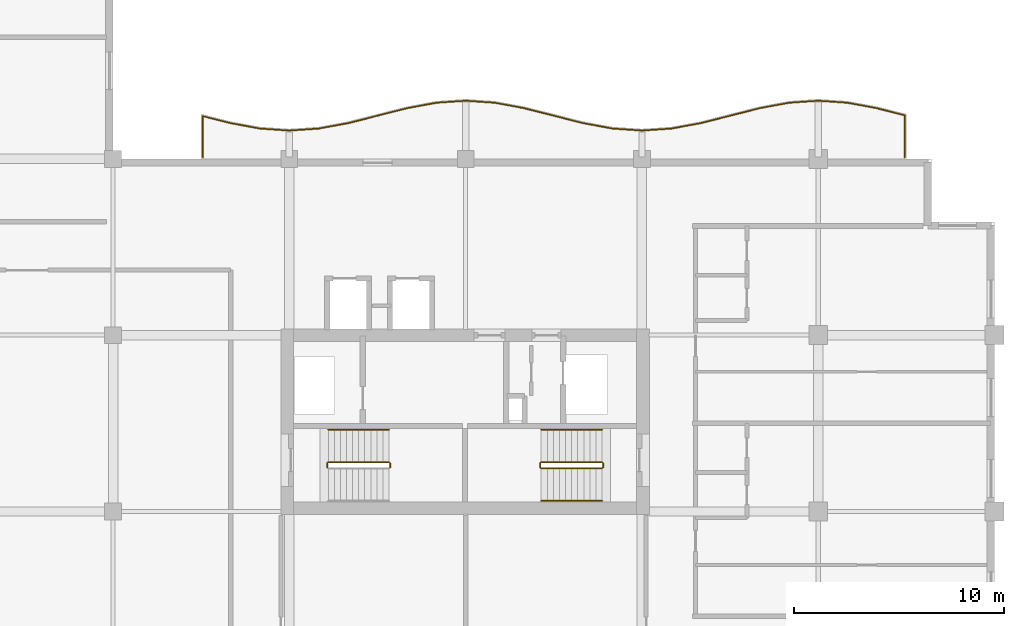
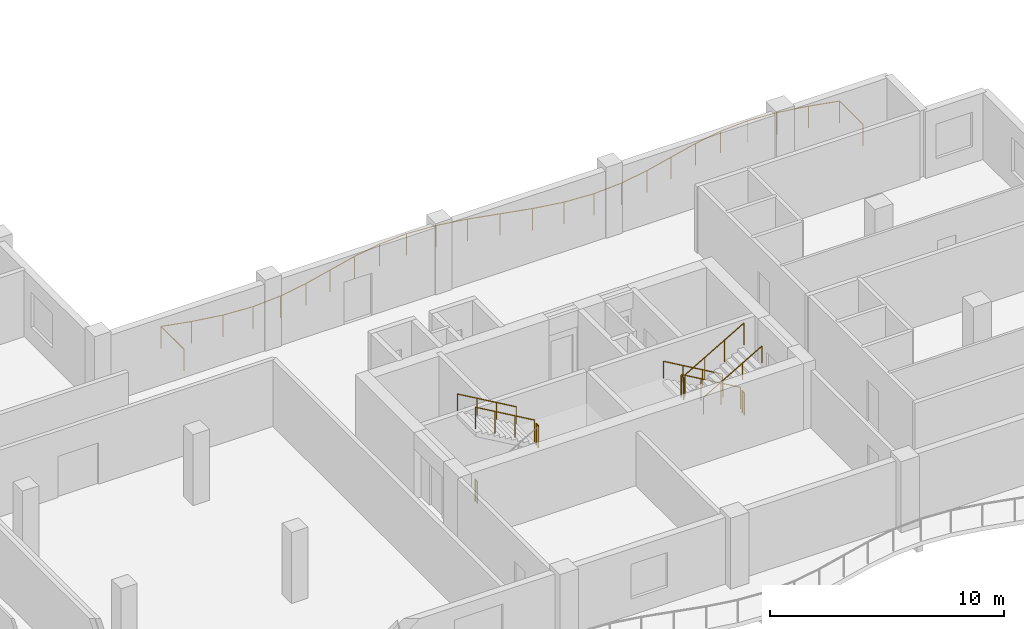
# One storey, part 14 of 16: 11 railings.
"""IFC4 building model written with IfcOpenShell, lengths in metres."""

from ifc_helpers import new_model, si_unit, direction, frame, origin, origin_2d, place, context, subcontext, project, spatial, circle, extrude, material, type_object, element, save


model = new_model("IFC4")

# Units and contexts
model_context = context("Model", 3, precision=1e-05, world=origin(), true_north=direction((0.0, 1.0)))
body_context = subcontext(model_context, "Body", "Model", "MODEL_VIEW")
ifc_project = project(units=[si_unit("LENGTHUNIT", "METRE"), si_unit("AREAUNIT", "SQUARE_METRE"), si_unit("VOLUMEUNIT", "CUBIC_METRE"), si_unit("PLANEANGLEUNIT", "RADIAN"), si_unit("MASSUNIT", "GRAM", prefix="KILO")], contexts=[model_context])

# Site, building, storey
site_placement = place(None, origin())
site = spatial("IfcSite", under=ifc_project, at=site_placement, CompositionType="ELEMENT")
building_placement = place(site_placement, origin())
building = spatial("IfcBuilding", under=site, at=building_placement, Name="Koriwani Terraces Tower", CompositionType="ELEMENT")
storey_placement = place(building_placement, frame((0.0, 0.0, 267.5)))
storey = spatial("IfcBuildingStorey", under=building, at=storey_placement, Name="L66", CompositionType="ELEMENT", Elevation=267.5)

# Railings
ifc_material = material(Name="Steel ASTM A572 Grade 50", Category="steel")
railing_type_1 = type_object("IfcRailingType", Name="GUARD_BALUSTRADE_1150", PredefinedType="BALUSTRADE", material=ifc_material)
railing_1_placement = place(storey_placement, frame((71.320068359375, 33.679931640625, 0.0)))
element("IfcRailing", 1, at=railing_1_placement, inside=storey, type_object=railing_type_1, Name="L66 Balcony Perimeter Safety Balustrade (NE)", PredefinedType="BALUSTRADE", context=body_context, shape_type="SweptSolid", body=[
    extrude(circle(Radius=0.02392578125, at=origin_2d()), frame((0.0, 0.0, 1.1259765625), z_axis=(0.0, 1.0, 0.0), x_axis=(-1.0, 0.0, 0.0)), (0.0, 0.0, 1.0), 1.997802734375),
    extrude(circle(Radius=0.02392578125, at=origin_2d()), frame((0.0, 1.997802734375, 1.1259765625), z_axis=(-0.969314490181, 0.245823959624, 0.0), x_axis=(-0.245823959624, -0.969314490181, 0.0)), (0.0, 0.0, 1.0), 1.37939453125),
    extrude(circle(Radius=0.02392578125, at=origin_2d()), frame((-1.337158203125, 2.3369140625, 1.1259765625), z_axis=(-0.98320420208, 0.182508895706, 0.0), x_axis=(-0.182508895706, -0.98320420208, 0.0)), (0.0, 0.0, 1.0), 1.41650390625),
    extrude(circle(Radius=0.02392578125, at=origin_2d()), frame((-2.72998046875, 2.595458984375, 1.1259765625), z_axis=(-0.997698263815, 0.067809839848, 0.0), x_axis=(-0.067809839848, -0.997698263815, 0.0)), (0.0, 0.0, 1.0), 1.393310546875),
    extrude(circle(Radius=0.02392578125, at=origin_2d()), frame((-4.1201171875, 2.68994140625, 1.1259765625), z_axis=(-0.997697457915, -0.067821696155, 0.0), x_axis=(0.067821696155, -0.997697457915, 0.0)), (0.0, 0.0, 1.0), 1.39306640625),
    extrude(circle(Radius=0.02392578125, at=origin_2d()), frame((-5.510009765625, 2.595458984375, 1.1259765625), z_axis=(-0.98320420208, -0.182508895706, 0.0), x_axis=(0.182508895706, -0.98320420208, 0.0)), (0.0, 0.0, 1.0), 1.41650390625),
    extrude(circle(Radius=0.02392578125, at=origin_2d()), frame((-6.90283203125, 2.3369140625, 1.1259765625), z_axis=(-0.969326714928, -0.245775750895, 0.0), x_axis=(0.245775750895, -0.969326714928, 0.0)), (0.0, 0.0, 1.0), 2.888671875),
    extrude(circle(Radius=0.02392578125, at=origin_2d()), frame((-9.702880859375, 1.626953125, 1.1259765625), z_axis=(-0.983233329212, -0.182351913416, 0.0), x_axis=(0.182351913416, -0.983233329212, 0.0)), (0.0, 0.0, 1.0), 1.43115234375),
    extrude(circle(Radius=0.02392578125, at=origin_2d()), frame((-11.110107421875, 1.365966796875, 1.1259765625), z_axis=(-0.997704165633, -0.067722949425, 0.0), x_axis=(0.067722949425, -0.997704165633, 0.0)), (0.0, 0.0, 1.0), 1.4130859375),
    extrude(circle(Radius=0.02392578125, at=origin_2d()), frame((-12.52001953125, 1.270263671875, 1.1259765625), z_axis=(-0.997704957786, 0.067711278299, 0.0), x_axis=(-0.067711278299, -0.997704957786, 0.0)), (0.0, 0.0, 1.0), 1.413330078125),
    extrude(circle(Radius=0.02392578125, at=origin_2d()), frame((-13.93017578125, 1.365966796875, 1.1259765625), z_axis=(-0.983227655562, 0.182382502828, 0.0), x_axis=(-0.182382502828, -0.983227655562, 0.0)), (0.0, 0.0, 1.0), 1.430908203125),
    extrude(circle(Radius=0.02392578125, at=origin_2d()), frame((-15.337158203125, 1.626953125, 1.1259765625), z_axis=(-0.969326714928, 0.245775750895, 0.0), x_axis=(-0.245775750895, -0.969326714928, 0.0)), (0.0, 0.0, 1.0), 2.888671875),
    extrude(circle(Radius=0.02392578125, at=origin_2d()), frame((-18.13720703125, 2.3369140625, 1.1259765625), z_axis=(-0.98320420208, 0.182508895706, 0.0), x_axis=(-0.182508895706, -0.98320420208, 0.0)), (0.0, 0.0, 1.0), 1.41650390625),
    extrude(circle(Radius=0.02392578125, at=origin_2d()), frame((-19.530029296875, 2.595458984375, 1.1259765625), z_axis=(-0.997698263815, 0.067809839848, 0.0), x_axis=(-0.067809839848, -0.997698263815, 0.0)), (0.0, 0.0, 1.0), 1.393310546875),
    extrude(circle(Radius=0.02392578125, at=origin_2d()), frame((-20.920166015625, 2.68994140625, 1.1259765625), z_axis=(-0.997697457915, -0.067821696155, 0.0), x_axis=(0.067821696155, -0.997697457915, 0.0)), (0.0, 0.0, 1.0), 1.39306640625),
    extrude(circle(Radius=0.02392578125, at=origin_2d()), frame((-22.31005859375, 2.595458984375, 1.1259765625), z_axis=(-0.98320420208, -0.182508895706, 0.0), x_axis=(0.182508895706, -0.98320420208, 0.0)), (0.0, 0.0, 1.0), 1.41650390625),
    extrude(circle(Radius=0.02392578125, at=origin_2d()), frame((-23.702880859375, 2.3369140625, 1.1259765625), z_axis=(-0.969326714928, -0.245775750895, 0.0), x_axis=(0.245775750895, -0.969326714928, 0.0)), (0.0, 0.0, 1.0), 2.888671875),
    extrude(circle(Radius=0.02392578125, at=origin_2d()), frame((-26.5029296875, 1.626953125, 1.1259765625), z_axis=(-0.983233329212, -0.182351913416, 0.0), x_axis=(0.182351913416, -0.983233329212, 0.0)), (0.0, 0.0, 1.0), 1.43115234375),
    extrude(circle(Radius=0.02392578125, at=origin_2d()), frame((-27.91015625, 1.365966796875, 1.1259765625), z_axis=(-0.997704165633, -0.067722949425, 0.0), x_axis=(0.067722949425, -0.997704165633, 0.0)), (0.0, 0.0, 1.0), 1.4130859375),
    extrude(circle(Radius=0.02392578125, at=origin_2d()), frame((-29.320068359375, 1.270263671875, 1.1259765625), z_axis=(-0.997704165633, 0.067722949425, 0.0), x_axis=(-0.067722949425, -0.997704165633, 0.0)), (0.0, 0.0, 1.0), 1.4130859375),
    extrude(circle(Radius=0.02392578125, at=origin_2d()), frame((-30.72998046875, 1.365966796875, 1.1259765625), z_axis=(-0.983233329212, 0.182351913416, 0.0), x_axis=(-0.182351913416, -0.983233329212, 0.0)), (0.0, 0.0, 1.0), 1.43115234375),
    extrude(circle(Radius=0.02392578125, at=origin_2d()), frame((-32.13720703125, 1.626953125, 1.1259765625), z_axis=(-0.969335916043, 0.245739459323, 0.0), x_axis=(-0.245739459323, -0.969335916043, 0.0)), (0.0, 0.0, 1.0), 1.34423828125),
    extrude(circle(Radius=0.02392578125, at=origin_2d()), frame((-33.440185546875, 1.957275390625, 1.1259765625), z_axis=(0.0, -1.0, 0.0), x_axis=(1.0, 0.0, 0.0)), (0.0, 0.0, 1.0), 1.957275390625),
    extrude(circle(Radius=0.02099609375, at=origin_2d()), origin(), (0.0, 0.0, 1.0), 1.101806640625),
    extrude(circle(Radius=0.02099609375, at=origin_2d()), frame((0.0, 1.997802734375, 0.0)), (0.0, 0.0, 1.0), 1.101806640625),
    extrude(circle(Radius=0.02099609375, at=origin_2d()), frame((-1.337158203125, 2.3369140625, 0.0)), (0.0, 0.0, 1.0), 1.101806640625),
    extrude(circle(Radius=0.02099609375, at=origin_2d()), frame((-2.72998046875, 2.595458984375, 0.0)), (0.0, 0.0, 1.0), 1.101806640625),
    extrude(circle(Radius=0.02099609375, at=origin_2d()), frame((-4.1201171875, 2.68994140625, 0.0)), (0.0, 0.0, 1.0), 1.101806640625),
    extrude(circle(Radius=0.02099609375, at=origin_2d()), frame((-5.510009765625, 2.595458984375, 0.0)), (0.0, 0.0, 1.0), 1.101806640625),
    extrude(circle(Radius=0.02099609375, at=origin_2d()), frame((-6.90283203125, 2.3369140625, 0.0)), (0.0, 0.0, 1.0), 1.101806640625),
    extrude(circle(Radius=0.02099609375, at=origin_2d()), frame((-8.302734375, 1.98193359375, 0.0)), (0.0, 0.0, 1.0), 1.101806640625),
    extrude(circle(Radius=0.02099609375, at=origin_2d()), frame((-9.702880859375, 1.626953125, 0.0)), (0.0, 0.0, 1.0), 1.101806640625),
    extrude(circle(Radius=0.02099609375, at=origin_2d()), frame((-11.110107421875, 1.365966796875, 0.0)), (0.0, 0.0, 1.0), 1.101806640625),
    extrude(circle(Radius=0.02099609375, at=origin_2d()), frame((-12.52001953125, 1.270263671875, 0.0)), (0.0, 0.0, 1.0), 1.101806640625),
    extrude(circle(Radius=0.02099609375, at=origin_2d()), frame((-13.93017578125, 1.365966796875, 0.0)), (0.0, 0.0, 1.0), 1.101806640625),
    extrude(circle(Radius=0.02099609375, at=origin_2d()), frame((-15.337158203125, 1.626953125, 0.0)), (0.0, 0.0, 1.0), 1.101806640625),
    extrude(circle(Radius=0.02099609375, at=origin_2d()), frame((-16.7373046875, 1.98193359375, 0.0)), (0.0, 0.0, 1.0), 1.101806640625),
    extrude(circle(Radius=0.02099609375, at=origin_2d()), frame((-18.13720703125, 2.3369140625, 0.0)), (0.0, 0.0, 1.0), 1.101806640625),
    extrude(circle(Radius=0.02099609375, at=origin_2d()), frame((-19.530029296875, 2.595458984375, 0.0)), (0.0, 0.0, 1.0), 1.101806640625),
    extrude(circle(Radius=0.02099609375, at=origin_2d()), frame((-20.920166015625, 2.68994140625, 0.0)), (0.0, 0.0, 1.0), 1.101806640625),
    extrude(circle(Radius=0.02099609375, at=origin_2d()), frame((-22.31005859375, 2.595458984375, 0.0)), (0.0, 0.0, 1.0), 1.101806640625),
    extrude(circle(Radius=0.02099609375, at=origin_2d()), frame((-23.702880859375, 2.3369140625, 0.0)), (0.0, 0.0, 1.0), 1.101806640625),
    extrude(circle(Radius=0.02099609375, at=origin_2d()), frame((-25.10302734375, 1.98193359375, 0.0)), (0.0, 0.0, 1.0), 1.101806640625),
    extrude(circle(Radius=0.02099609375, at=origin_2d()), frame((-26.5029296875, 1.626953125, 0.0)), (0.0, 0.0, 1.0), 1.101806640625),
    extrude(circle(Radius=0.02099609375, at=origin_2d()), frame((-27.91015625, 1.365966796875, 0.0)), (0.0, 0.0, 1.0), 1.101806640625),
    extrude(circle(Radius=0.02099609375, at=origin_2d()), frame((-29.320068359375, 1.270263671875, 0.0)), (0.0, 0.0, 1.0), 1.101806640625),
    extrude(circle(Radius=0.02099609375, at=origin_2d()), frame((-30.72998046875, 1.365966796875, 0.0)), (0.0, 0.0, 1.0), 1.101806640625),
    extrude(circle(Radius=0.02099609375, at=origin_2d()), frame((-32.13720703125, 1.626953125, 0.0)), (0.0, 0.0, 1.0), 1.101806640625),
    extrude(circle(Radius=0.02099609375, at=origin_2d()), frame((-33.440185546875, 1.957275390625, 0.0)), (0.0, 0.0, 1.0), 1.101806640625),
    extrude(circle(Radius=0.02099609375, at=origin_2d()), frame((-33.440185546875, 0.0, 0.0)), (0.0, 0.0, 1.0), 1.101806640625),
])
railing_type_2 = type_object("IfcRailingType", Name="GUARD_STAIR_WELL_1120", PredefinedType="GUARDRAIL", material=ifc_material)
railing_2_placement = place(storey_placement, frame((46.800048828125, 18.89990234375, 1.85009765625)))
element("IfcRailing", 2, at=railing_2_placement, inside=storey, type_object=railing_type_2, Name="L66 ST-E1 stair guard 2", PredefinedType="GUARDRAIL", context=body_context, shape_type="SweptSolid", body=[
    extrude(circle(Radius=0.02392578125, at=origin_2d()), frame((0.0, 0.0, 1.1259765625), z_axis=(0.0, 1.0, 0.0), x_axis=(-1.0, 0.0, 0.0)), (0.0, 0.0, 1.0), 0.2001953125),
    extrude(circle(Radius=0.02099609375, at=origin_2d()), origin(), (0.0, 0.0, 1.0), 1.101806640625),
    extrude(circle(Radius=0.02099609375, at=origin_2d()), frame((0.0, 0.2001953125, 0.0)), (0.0, 0.0, 1.0), 1.101806640625),
])
railing_3_placement = place(storey_placement, frame((46.75, 19.14990234375, 2.01806640625)))
element("IfcRailing", 3, at=railing_3_placement, inside=storey, type_object=railing_type_2, Name="L66 ST-E1 stair guard 3", PredefinedType="GUARDRAIL", context=body_context, shape_type="SweptSolid", body=[
    extrude(circle(Radius=0.02392578125, at=origin_2d()), frame((0.0, 0.0, 1.1259765625), z_axis=(-0.865038774852, 0.0, 0.501705010941), x_axis=(0.0, -1.0, 0.0)), (0.0, 0.0, 1.0), 3.352294921875),
    extrude(circle(Radius=0.02099609375, at=origin_2d()), origin(), (0.0, 0.0, 1.0), 1.101806640625),
    extrude(circle(Radius=0.02099609375, at=origin_2d()), frame((-0.966552734375, 0.0, 0.560546875)), (0.0, 0.0, 1.0), 1.101806640625),
    extrude(circle(Radius=0.02099609375, at=origin_2d()), frame((-1.933349609375, 0.0, 1.121337890625)), (0.0, 0.0, 1.0), 1.101806640625),
    extrude(circle(Radius=0.02099609375, at=origin_2d()), frame((-2.89990234375, 0.0, 1.681884765625)), (0.0, 0.0, 1.0), 1.101806640625),
])
railing_4_placement = place(storey_placement, frame((43.800048828125, 18.89990234375, 0.0)))
element("IfcRailing", 4, at=railing_4_placement, inside=storey, type_object=railing_type_2, Name="L66 ST-E1 stair guard 4", PredefinedType="GUARDRAIL", context=body_context, shape_type="SweptSolid", body=[
    extrude(circle(Radius=0.02392578125, at=origin_2d()), frame((0.0, 0.0, 1.1259765625), z_axis=(0.0, 1.0, 0.0), x_axis=(-1.0, 0.0, 0.0)), (0.0, 0.0, 1.0), 0.2001953125),
    extrude(circle(Radius=0.02099609375, at=origin_2d()), origin(), (0.0, 0.0, 1.0), 1.101806640625),
    extrude(circle(Radius=0.02099609375, at=origin_2d()), frame((0.0, 0.2001953125, 0.0)), (0.0, 0.0, 1.0), 1.101806640625),
])
railing_5_placement = place(storey_placement, frame((56.89990234375, 19.14990234375, 0.168212890625)))
element("IfcRailing", 5, at=railing_5_placement, inside=storey, type_object=railing_type_2, Name="L66 ST-E2 stair guard 1", PredefinedType="GUARDRAIL", context=body_context, shape_type="SweptSolid", body=[
    extrude(circle(Radius=0.02392578125, at=origin_2d()), frame((0.0, 0.0, 1.1259765625), z_axis=(-0.865038774852, 0.0, 0.501705010941), x_axis=(0.0, -1.0, 0.0)), (0.0, 0.0, 1.0), 3.352294921875),
    extrude(circle(Radius=0.02099609375, at=origin_2d()), origin(), (0.0, 0.0, 1.0), 1.101806640625),
    extrude(circle(Radius=0.02099609375, at=origin_2d()), frame((-0.966552734375, 0.0, 0.560546875)), (0.0, 0.0, 1.0), 1.101806640625),
    extrude(circle(Radius=0.02099609375, at=origin_2d()), frame((-1.933349609375, 0.0, 1.121337890625)), (0.0, 0.0, 1.0), 1.101806640625),
    extrude(circle(Radius=0.02099609375, at=origin_2d()), frame((-2.89990234375, 0.0, 1.681884765625)), (0.0, 0.0, 1.0), 1.101806640625),
])
railing_6_placement = place(storey_placement, frame((53.949951171875, 19.10009765625, 1.85009765625)))
element("IfcRailing", 6, at=railing_6_placement, inside=storey, type_object=railing_type_2, Name="L66 ST-E2 stair guard 2", PredefinedType="GUARDRAIL", context=body_context, shape_type="SweptSolid", body=[
    extrude(circle(Radius=0.02392578125, at=origin_2d()), frame((0.0, 0.0, 1.1259765625), z_axis=(0.0, -1.0, 0.0), x_axis=(1.0, 0.0, 0.0)), (0.0, 0.0, 1.0), 0.2001953125),
    extrude(circle(Radius=0.02099609375, at=origin_2d()), origin(), (0.0, 0.0, 1.0), 1.101806640625),
    extrude(circle(Radius=0.02099609375, at=origin_2d()), frame((0.0, -0.2001953125, 0.0)), (0.0, 0.0, 1.0), 1.101806640625),
])
railing_7_placement = place(storey_placement, frame((54.0, 18.85009765625, 2.01806640625)))
element("IfcRailing", 7, at=railing_7_placement, inside=storey, type_object=railing_type_2, Name="L66 ST-E2 stair guard 3", PredefinedType="GUARDRAIL", context=body_context, shape_type="SweptSolid", body=[
    extrude(circle(Radius=0.02392578125, at=origin_2d()), frame((0.0, 0.0, 1.1259765625), z_axis=(0.865038774852, 0.0, 0.501705010941), x_axis=(0.0, 1.0, 0.0)), (0.0, 0.0, 1.0), 3.352294921875),
    extrude(circle(Radius=0.02099609375, at=origin_2d()), origin(), (0.0, 0.0, 1.0), 1.101806640625),
    extrude(circle(Radius=0.02099609375, at=origin_2d()), frame((0.966552734375, 0.0, 0.560546875)), (0.0, 0.0, 1.0), 1.101806640625),
    extrude(circle(Radius=0.02099609375, at=origin_2d()), frame((1.933349609375, 0.0, 1.121337890625)), (0.0, 0.0, 1.0), 1.101806640625),
    extrude(circle(Radius=0.02099609375, at=origin_2d()), frame((2.89990234375, 0.0, 1.681884765625)), (0.0, 0.0, 1.0), 1.101806640625),
])
railing_8_placement = place(storey_placement, frame((56.949951171875, 19.10009765625, 0.0)))
element("IfcRailing", 8, at=railing_8_placement, inside=storey, type_object=railing_type_2, Name="L66 ST-E2 stair guard 4", PredefinedType="GUARDRAIL", context=body_context, shape_type="SweptSolid", body=[
    extrude(circle(Radius=0.02392578125, at=origin_2d()), frame((0.0, 0.0, 1.1259765625), z_axis=(0.0, -1.0, 0.0), x_axis=(1.0, 0.0, 0.0)), (0.0, 0.0, 1.0), 0.2001953125),
    extrude(circle(Radius=0.02099609375, at=origin_2d()), origin(), (0.0, 0.0, 1.0), 1.101806640625),
    extrude(circle(Radius=0.02099609375, at=origin_2d()), frame((0.0, -0.2001953125, 0.0)), (0.0, 0.0, 1.0), 1.101806640625),
])
railing_type_3 = type_object("IfcRailingType", Name="HANDRAIL_STAIR_920", PredefinedType="HANDRAIL", material=ifc_material)
for number, where, name in (
    (9, (46.75, 20.699951171875, 2.01806640625), "L66 ST-E1 stair handrail 2"),
    (10, (56.89990234375, 20.699951171875, 0.168212890625), "L66 ST-E2 stair handrail 1"),
):
    element("IfcRailing", number, at=place(storey_placement, frame(where)), inside=storey, type_object=railing_type_3, Name=name, PredefinedType="HANDRAIL", context=body_context, shape_type="SweptSolid", body=[
        extrude(circle(Radius=0.02392578125, at=origin_2d()), frame((0.0, 0.0, 0.8759765625), z_axis=(-0.865038774852, 0.0, 0.501705010941), x_axis=(0.0, -1.0, 0.0)), (0.0, 0.0, 1.0), 3.352294921875),
        extrude(circle(Radius=0.02099609375, at=origin_2d()), origin(), (0.0, 0.0, 1.0), 0.851806640625),
        extrude(circle(Radius=0.02099609375, at=origin_2d()), frame((-0.966552734375, 0.0, 0.560546875)), (0.0, 0.0, 1.0), 0.851806640625),
        extrude(circle(Radius=0.02099609375, at=origin_2d()), frame((-1.933349609375, 0.0, 1.121337890625)), (0.0, 0.0, 1.0), 0.851806640625),
        extrude(circle(Radius=0.02099609375, at=origin_2d()), frame((-2.89990234375, 0.0, 1.681884765625)), (0.0, 0.0, 1.0), 0.851806640625),
    ])
railing_9_placement = place(storey_placement, frame((54.0, 17.300048828125, 2.01806640625)))
element("IfcRailing", 11, at=railing_9_placement, inside=storey, type_object=railing_type_3, Name="L66 ST-E2 stair handrail 2", PredefinedType="HANDRAIL", context=body_context, shape_type="SweptSolid", body=[
    extrude(circle(Radius=0.02392578125, at=origin_2d()), frame((0.0, 0.0, 0.8759765625), z_axis=(0.865038774852, 0.0, 0.501705010941), x_axis=(0.0, 1.0, 0.0)), (0.0, 0.0, 1.0), 3.352294921875),
    extrude(circle(Radius=0.02099609375, at=origin_2d()), origin(), (0.0, 0.0, 1.0), 0.851806640625),
    extrude(circle(Radius=0.02099609375, at=origin_2d()), frame((0.966552734375, 0.0, 0.560546875)), (0.0, 0.0, 1.0), 0.851806640625),
    extrude(circle(Radius=0.02099609375, at=origin_2d()), frame((1.933349609375, 0.0, 1.121337890625)), (0.0, 0.0, 1.0), 0.851806640625),
    extrude(circle(Radius=0.02099609375, at=origin_2d()), frame((2.89990234375, 0.0, 1.681884765625)), (0.0, 0.0, 1.0), 0.851806640625),
])

save(model, "model.ifc")
